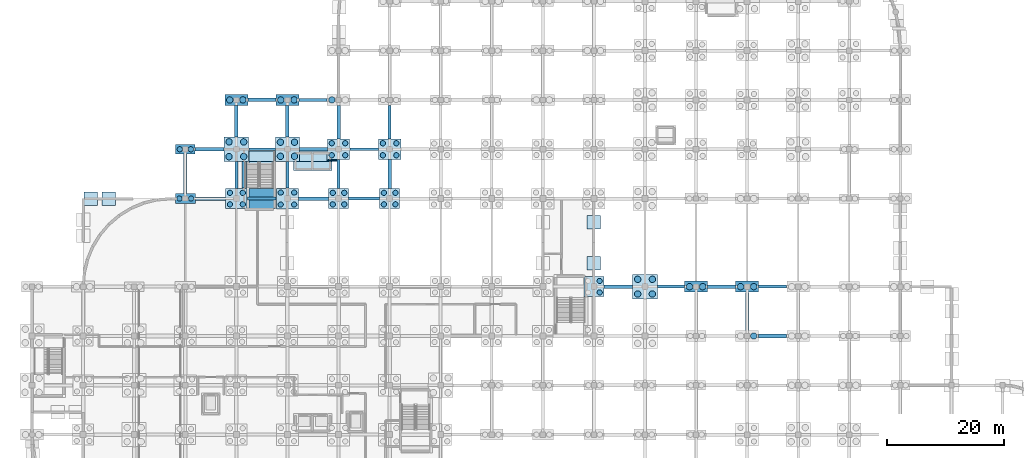
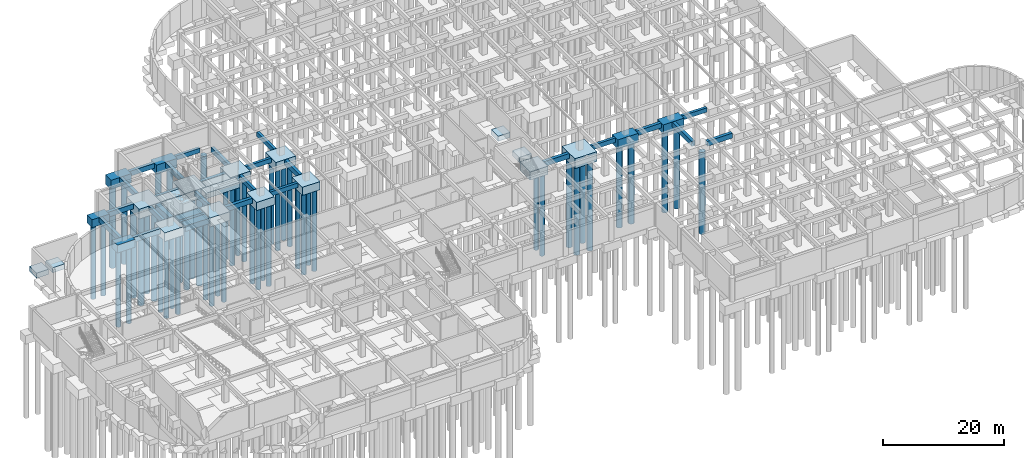
# One storey, part 7 of 33: 53 footings, 52 piles.
"""IFC4 building model written with IfcOpenShell, lengths in metres."""

from ifc_helpers import new_model, si_unit, derived_unit, direction, frame, origin, origin_2d, place, context, subcontext, project, spatial, rectangle, circle, extrude, material, material_profile, profile_set, type_object, element, save


model = new_model("IFC4")

# Units and contexts
model_context = context("Model", 3, precision=1e-05, world=origin(), true_north=direction((0.0, 1.0)))
body_context = subcontext(model_context, "Body", "Model", "MODEL_VIEW")
ifc_project = project(units=[si_unit("LENGTHUNIT", "METRE"), si_unit("AREAUNIT", "SQUARE_METRE"), si_unit("VOLUMEUNIT", "CUBIC_METRE"), si_unit("PLANEANGLEUNIT", "RADIAN"), si_unit("MASSUNIT", "GRAM", prefix="KILO"), derived_unit("THERMALTRANSMITTANCEUNIT", [(si_unit("MASSUNIT", "GRAM", prefix="KILO"), 1), (si_unit("TIMEUNIT", "SECOND"), -3), (si_unit("THERMODYNAMICTEMPERATUREUNIT", "KELVIN"), -1)])], contexts=[model_context])

# Site, building, storey
site_placement = place(None, origin())
site = spatial("IfcSite", under=ifc_project, at=site_placement, CompositionType="ELEMENT")
building_placement = place(site_placement, origin())
building = spatial("IfcBuilding", under=site, at=building_placement, Name="Qinzheling Arcade Emporium", CompositionType="ELEMENT")
storey_placement = place(building_placement, frame((0.0, 0.0, -9.60009765625)))
storey = spatial("IfcBuildingStorey", under=building, at=storey_placement, Name="B2", CompositionType="ELEMENT", Elevation=-9.60009765625)

# Footings
ifc_material = material(Name="Concrete C40", Category="concrete")
footing_type_1 = type_object("IfcFootingType", Name="Arcade Pad Footing 2400x2400x1050 C40", PredefinedType="PAD_FOOTING", material=ifc_material)
for number, where, z_axis, x_axis, name in (
    (1, (9.972900390625, 65.39990234375, -1.0498046875), (0.0, 0.0, 1.0), (1.0, 0.0, 0.0), "Retaining Wall Pad Footing FND-PF-RW-081"),
    (2, (95.699951171875, 54.39990234375, -1.0498046875), (0.0, 0.0, 1.0), (1.0, 0.0, 0.0), "Retaining Wall Pad Footing FND-PF-RW-087"),
):
    element("IfcFooting", number, at=place(storey_placement, frame(where, z_axis=z_axis, x_axis=x_axis)), inside=storey, type_object=footing_type_1, Name=name, PredefinedType="PAD_FOOTING", context=body_context, shape_type="SweptSolid", body=[
        extrude(rectangle(XDim=2.300048828125, YDim=2.300048828125, at=origin_2d()), origin(), (0.0, 0.0, 1.0), 1.050048828125),
    ])
footing_type_2 = type_object("IfcFootingType", Name="Canopy Pad Footing 2600x2600x1100 C40", PredefinedType="PAD_FOOTING", material=ifc_material)
footing_1_placement = place(storey_placement, frame((36.22509765625, 69.425048828125, -1.099853515625), z_axis=(0.0, 0.0, 1.0), x_axis=(1.0, 0.0, 0.0)))
element("IfcFooting", 3, at=footing_1_placement, inside=storey, type_object=footing_type_2, Name="Stair Core Mat Pad FND-PF-ST-ST03-1", PredefinedType="PAD_FOOTING", context=body_context, shape_type="SweptSolid", body=[
    extrude(rectangle(XDim=0.845947265625, YDim=4.506103515625, at=origin_2d()), origin(), (0.0, 0.0, 1.0), 1.10009765625),
])
for number, where, z_axis, x_axis, name in (
    (4, (39.175048828125, 64.405029296875, -1.099853515625), (0.0, 0.0, 1.0), (1.0, 0.0, 0.0), "Stair Core Mat Pad FND-PF-ST-ST03-2"),
    (5, (39.175048828125, 66.39501953125, -1.099853515625), (0.0, 0.0, 1.0), (1.0, 0.0, 0.0), "Stair Core Mat Pad FND-PF-ST-ST03-3"),
):
    element("IfcFooting", number, at=place(storey_placement, frame(where, z_axis=z_axis, x_axis=x_axis)), inside=storey, type_object=footing_type_2, Name=name, PredefinedType="PAD_FOOTING", context=body_context, shape_type="SweptSolid", body=[
        extrude(rectangle(XDim=4.506103515625, YDim=1.446044921875, at=origin_2d()), origin(), (0.0, 0.0, 1.0), 1.10009765625),
    ])
footing_2_placement = place(storey_placement, frame((39.175048828125, 69.425048828125, -1.099853515625), z_axis=(0.0, 0.0, 1.0), x_axis=(1.0, 0.0, 0.0)))
element("IfcFooting", 6, at=footing_2_placement, inside=storey, type_object=footing_type_2, Name="Stair Core Mat Pad FND-PF-ST-ST03-4", PredefinedType="PAD_FOOTING", context=body_context, shape_type="SweptSolid", body=[
    extrude(rectangle(XDim=4.506103515625, YDim=4.506103515625, at=origin_2d()), origin(), (0.0, 0.0, 1.0), 1.10009765625),
])
footing_3_placement = place(storey_placement, frame((39.175048828125, 72.6298828125, -1.099853515625), z_axis=(0.0, 0.0, 1.0), x_axis=(1.0, 0.0, 0.0)))
element("IfcFooting", 7, at=footing_3_placement, inside=storey, type_object=footing_type_2, Name="Stair Core Mat Pad FND-PF-ST-ST03-5", PredefinedType="PAD_FOOTING", context=body_context, shape_type="SweptSolid", body=[
    extrude(rectangle(XDim=4.506103515625, YDim=1.7958984375, at=origin_2d()), origin(), (0.0, 0.0, 1.0), 1.10009765625),
])
footing_4_placement = place(storey_placement, frame((47.800048828125, 70.93994140625, -1.099853515625), z_axis=(0.0, 0.0, 1.0), x_axis=(1.0, 0.0, 0.0)))
element("IfcFooting", 8, at=footing_4_placement, inside=storey, type_object=footing_type_2, Name="Lift Pit Mat Pad FND-PF-LF-LP03-1", PredefinedType="PAD_FOOTING", context=body_context, shape_type="SweptSolid", body=[
    extrude(rectangle(XDim=6.49609375, YDim=1.575927734375, at=origin_2d()), origin(), (0.0, 0.0, 1.0), 1.10009765625),
])
footing_5_placement = place(storey_placement, frame((47.925048828125, 72.590087890625, -1.099853515625), z_axis=(0.0, 0.0, 1.0), x_axis=(1.0, 0.0, 0.0)))
element("IfcFooting", 9, at=footing_5_placement, inside=storey, type_object=footing_type_2, Name="Lift Pit Mat Pad FND-PF-LF-LP03-2", PredefinedType="PAD_FOOTING", context=body_context, shape_type="SweptSolid", body=[
    extrude(rectangle(XDim=4.7060546875, YDim=1.716064453125, at=origin_2d()), origin(), (0.0, 0.0, 1.0), 1.10009765625),
])
footing_type_3 = type_object("IfcFootingType", Name="Foundation Tie Beam 500x900 C40", PredefinedType="FOOTING_BEAM", material=ifc_material)
footing_6_placement = place(storey_placement, frame((108.824951171875, 50.39990234375, -0.89990234375), z_axis=(0.0, 0.0, 1.0), x_axis=(1.0, 0.0, 0.0)))
element("IfcFooting", 10, at=footing_6_placement, inside=storey, type_object=footing_type_3, Name="Foundation Tie FND-FB-101", PredefinedType="FOOTING_BEAM", context=body_context, shape_type="SweptSolid", body=[
    extrude(rectangle(XDim=4.610107421875, YDim=0.5, at=origin_2d()), origin(), (0.0, 0.0, 1.0), 0.89990234375),
])
footing_7_placement = place(storey_placement, frame((126.14990234375, 50.39990234375, -0.89990234375), z_axis=(0.0, 0.0, 1.0), x_axis=(1.0, 0.0, 0.0)))
element("IfcFooting", 11, at=footing_7_placement, inside=storey, type_object=footing_type_3, Name="Foundation Tie FND-FB-103", PredefinedType="FOOTING_BEAM", context=body_context, shape_type="SweptSolid", body=[
    extrude(rectangle(XDim=4.760009765625, YDim=0.5, at=origin_2d()), origin(), (0.0, 0.0, 1.0), 0.89990234375),
])
footing_8_placement = place(storey_placement, frame((39.125, 65.39990234375, -0.89990234375), z_axis=(0.0, 0.0, 1.0), x_axis=(1.0, 0.0, 0.0)))
element("IfcFooting", 12, at=footing_8_placement, inside=storey, type_object=footing_type_3, Name="Foundation Tie FND-FB-107", PredefinedType="FOOTING_BEAM", context=body_context, shape_type="SweptSolid", body=[
    extrude(rectangle(XDim=4.909912109375, YDim=0.5, at=origin_2d()), origin(), (0.0, 0.0, 1.0), 0.89990234375),
])
footing_9_placement = place(storey_placement, frame((56.550048828125, 65.39990234375, -0.89990234375), z_axis=(0.0, 0.0, 1.0), x_axis=(1.0, 0.0, 0.0)))
element("IfcFooting", 13, at=footing_9_placement, inside=storey, type_object=footing_type_3, Name="Foundation Tie FND-FB-109", PredefinedType="FOOTING_BEAM", context=body_context, shape_type="SweptSolid", body=[
    extrude(rectangle(XDim=5.260009765625, YDim=0.5, at=origin_2d()), origin(), (0.0, 0.0, 1.0), 0.89990234375),
])
footing_10_placement = place(storey_placement, frame((39.175048828125, 73.800048828125, -0.89990234375), z_axis=(0.0, 0.0, 1.0), x_axis=(1.0, 0.0, 0.0)))
element("IfcFooting", 14, at=footing_10_placement, inside=storey, type_object=footing_type_3, Name="Foundation Tie FND-FB-121", PredefinedType="FOOTING_BEAM", context=body_context, shape_type="SweptSolid", body=[
    extrude(rectangle(XDim=4.510009765625, YDim=0.5, at=origin_2d()), origin(), (0.0, 0.0, 1.0), 0.89990234375),
])
footing_11_placement = place(storey_placement, frame((56.550048828125, 73.800048828125, -0.89990234375), z_axis=(0.0, 0.0, 1.0), x_axis=(1.0, 0.0, 0.0)))
element("IfcFooting", 15, at=footing_11_placement, inside=storey, type_object=footing_type_3, Name="Foundation Tie FND-FB-123", PredefinedType="FOOTING_BEAM", context=body_context, shape_type="SweptSolid", body=[
    extrude(rectangle(XDim=4.860107421875, YDim=0.5, at=origin_2d()), origin(), (0.0, 0.0, 1.0), 0.89990234375),
])
footing_12_placement = place(storey_placement, frame((47.85009765625, 82.199951171875, -0.89990234375), z_axis=(0.0, 0.0, 1.0), x_axis=(1.0, 0.0, 0.0)))
element("IfcFooting", 16, at=footing_12_placement, inside=storey, type_object=footing_type_3, Name="Foundation Tie FND-FB-135", PredefinedType="FOOTING_BEAM", context=body_context, shape_type="SweptSolid", body=[
    extrude(rectangle(XDim=4.760009765625, YDim=0.5, at=origin_2d()), origin(), (0.0, 0.0, 1.0), 0.89990234375),
])
for number, where, z_axis, x_axis, name in (
    (17, (34.800048828125, 69.39990234375, -0.89990234375), (0.0, 0.0, 1.0), (1.0, 0.0, 0.0), "Foundation Tie FND-FB-205"),
    (18, (43.5, 69.449951171875, -0.89990234375), (0.0, 0.0, 1.0), (1.0, 0.0, 0.0), "Foundation Tie FND-FB-213"),
):
    element("IfcFooting", number, at=place(storey_placement, frame(where, z_axis=z_axis, x_axis=x_axis)), inside=storey, type_object=footing_type_3, Name=name, PredefinedType="FOOTING_BEAM", context=body_context, shape_type="SweptSolid", body=[
        extrude(rectangle(XDim=0.5, YDim=4.56005859375, at=origin_2d()), origin(), (0.0, 0.0, 1.0), 0.89990234375),
    ])
footing_13_placement = place(storey_placement, frame((52.199951171875, 69.574951171875, -0.89990234375), z_axis=(0.0, 0.0, 1.0), x_axis=(1.0, 0.0, 0.0)))
element("IfcFooting", 19, at=footing_13_placement, inside=storey, type_object=footing_type_3, Name="Foundation Tie FND-FB-221", PredefinedType="FOOTING_BEAM", context=body_context, shape_type="SweptSolid", body=[
    extrude(rectangle(XDim=0.5, YDim=4.909912109375, at=origin_2d()), origin(), (0.0, 0.0, 1.0), 0.89990234375),
])
footing_14_placement = place(storey_placement, frame((60.89990234375, 78.425048828125, -0.89990234375), z_axis=(0.0, 0.0, 1.0), x_axis=(1.0, 0.0, 0.0)))
element("IfcFooting", 20, at=footing_14_placement, inside=storey, type_object=footing_type_3, Name="Foundation Tie FND-FB-231", PredefinedType="FOOTING_BEAM", context=body_context, shape_type="SweptSolid", body=[
    extrude(rectangle(XDim=0.5, YDim=5.7099609375, at=origin_2d()), origin(), (0.0, 0.0, 1.0), 0.89990234375),
])
footing_type_4 = type_object("IfcFootingType", Name="Foundation Tie Beam 600x1000 C40", PredefinedType="FOOTING_BEAM", material=ifc_material)
footing_15_placement = place(storey_placement, frame((126.14990234375, 42.0, -1.0), z_axis=(0.0, 0.0, 1.0), x_axis=(1.0, 0.0, 0.0)))
element("IfcFooting", 21, at=footing_15_placement, inside=storey, type_object=footing_type_4, Name="Foundation Tie FND-FB-086", PredefinedType="FOOTING_BEAM", context=body_context, shape_type="SweptSolid", body=[
    extrude(rectangle(XDim=4.760009765625, YDim=0.60009765625, at=origin_2d()), origin(), (0.0, 0.0, 1.0), 1.0),
])
footing_16_placement = place(storey_placement, frame((99.85009765625, 50.39990234375, -1.0), z_axis=(0.0, 0.0, 1.0), x_axis=(1.0, 0.0, 0.0)))
element("IfcFooting", 22, at=footing_16_placement, inside=storey, type_object=footing_type_4, Name="Foundation Tie FND-FB-100", PredefinedType="FOOTING_BEAM", context=body_context, shape_type="SweptSolid", body=[
    extrude(rectangle(XDim=4.860107421875, YDim=0.60009765625, at=origin_2d()), origin(), (0.0, 0.0, 1.0), 1.0),
])
footing_17_placement = place(storey_placement, frame((117.449951171875, 50.39990234375, -1.0), z_axis=(0.0, 0.0, 1.0), x_axis=(1.0, 0.0, 0.0)))
element("IfcFooting", 23, at=footing_17_placement, inside=storey, type_object=footing_type_4, Name="Foundation Tie FND-FB-102", PredefinedType="FOOTING_BEAM", context=body_context, shape_type="SweptSolid", body=[
    extrude(rectangle(XDim=4.760009765625, YDim=0.60009765625, at=origin_2d()), origin(), (0.0, 0.0, 1.0), 1.0),
])
footing_18_placement = place(storey_placement, frame((30.375, 65.39990234375, -1.0), z_axis=(0.0, 0.0, 1.0), x_axis=(1.0, 0.0, 0.0)))
element("IfcFooting", 24, at=footing_18_placement, inside=storey, type_object=footing_type_4, Name="Foundation Tie FND-FB-106", PredefinedType="FOOTING_BEAM", context=body_context, shape_type="SweptSolid", body=[
    extrude(rectangle(XDim=5.110107421875, YDim=0.60009765625, at=origin_2d()), origin(), (0.0, 0.0, 1.0), 1.0),
])
footing_19_placement = place(storey_placement, frame((47.949951171875, 65.39990234375, -1.0), z_axis=(0.0, 0.0, 1.0), x_axis=(1.0, 0.0, 0.0)))
element("IfcFooting", 25, at=footing_19_placement, inside=storey, type_object=footing_type_4, Name="Foundation Tie FND-FB-108", PredefinedType="FOOTING_BEAM", context=body_context, shape_type="SweptSolid", body=[
    extrude(rectangle(XDim=5.06005859375, YDim=0.60009765625, at=origin_2d()), origin(), (0.0, 0.0, 1.0), 1.0),
])
footing_20_placement = place(storey_placement, frame((30.22509765625, 73.800048828125, -1.0), z_axis=(0.0, 0.0, 1.0), x_axis=(1.0, 0.0, 0.0)))
element("IfcFooting", 26, at=footing_20_placement, inside=storey, type_object=footing_type_4, Name="Foundation Tie FND-FB-120", PredefinedType="FOOTING_BEAM", context=body_context, shape_type="SweptSolid", body=[
    extrude(rectangle(XDim=4.909912109375, YDim=0.60009765625, at=origin_2d()), origin(), (0.0, 0.0, 1.0), 1.0),
])
footing_21_placement = place(storey_placement, frame((47.925048828125, 73.800048828125, -1.0), z_axis=(0.0, 0.0, 1.0), x_axis=(1.0, 0.0, 0.0)))
element("IfcFooting", 27, at=footing_21_placement, inside=storey, type_object=footing_type_4, Name="Foundation Tie FND-FB-122", PredefinedType="FOOTING_BEAM", context=body_context, shape_type="SweptSolid", body=[
    extrude(rectangle(XDim=4.7099609375, YDim=0.60009765625, at=origin_2d()), origin(), (0.0, 0.0, 1.0), 1.0),
])
footing_22_placement = place(storey_placement, frame((39.14990234375, 82.199951171875, -1.0), z_axis=(0.0, 0.0, 1.0), x_axis=(1.0, 0.0, 0.0)))
element("IfcFooting", 28, at=footing_22_placement, inside=storey, type_object=footing_type_4, Name="Foundation Tie FND-FB-134", PredefinedType="FOOTING_BEAM", context=body_context, shape_type="SweptSolid", body=[
    extrude(rectangle(XDim=4.760009765625, YDim=0.60009765625, at=origin_2d()), origin(), (0.0, 0.0, 1.0), 1.0),
])
footing_23_placement = place(storey_placement, frame((26.10009765625, 69.612060546875, -1.0), z_axis=(0.0, 0.0, 1.0), x_axis=(1.0, 0.0, 0.0)))
element("IfcFooting", 29, at=footing_23_placement, inside=storey, type_object=footing_type_4, Name="Foundation Tie FND-FB-198", PredefinedType="FOOTING_BEAM", context=body_context, shape_type="SweptSolid", body=[
    extrude(rectangle(XDim=0.60009765625, YDim=6.68505859375, at=origin_2d()), origin(), (0.0, 0.0, 1.0), 1.0),
])
footing_24_placement = place(storey_placement, frame((34.800048828125, 78.574951171875, -1.0), z_axis=(0.0, 0.0, 1.0), x_axis=(1.0, 0.0, 0.0)))
element("IfcFooting", 30, at=footing_24_placement, inside=storey, type_object=footing_type_4, Name="Foundation Tie FND-FB-206", PredefinedType="FOOTING_BEAM", context=body_context, shape_type="SweptSolid", body=[
    extrude(rectangle(XDim=0.60009765625, YDim=5.31005859375, at=origin_2d()), origin(), (0.0, 0.0, 1.0), 1.0),
])
footing_25_placement = place(storey_placement, frame((43.5, 78.550048828125, -1.0), z_axis=(0.0, 0.0, 1.0), x_axis=(1.0, 0.0, 0.0)))
element("IfcFooting", 31, at=footing_25_placement, inside=storey, type_object=footing_type_4, Name="Foundation Tie FND-FB-214", PredefinedType="FOOTING_BEAM", context=body_context, shape_type="SweptSolid", body=[
    extrude(rectangle(XDim=0.60009765625, YDim=5.360107421875, at=origin_2d()), origin(), (0.0, 0.0, 1.0), 1.0),
])
footing_26_placement = place(storey_placement, frame((52.199951171875, 78.39990234375, -1.0), z_axis=(0.0, 0.0, 1.0), x_axis=(1.0, 0.0, 0.0)))
element("IfcFooting", 32, at=footing_26_placement, inside=storey, type_object=footing_type_4, Name="Foundation Tie FND-FB-222", PredefinedType="FOOTING_BEAM", context=body_context, shape_type="SweptSolid", body=[
    extrude(rectangle(XDim=0.60009765625, YDim=5.659912109375, at=origin_2d()), origin(), (0.0, 0.0, 1.0), 1.0),
])
footing_27_placement = place(storey_placement, frame((60.89990234375, 69.574951171875, -1.0), z_axis=(0.0, 0.0, 1.0), x_axis=(1.0, 0.0, 0.0)))
element("IfcFooting", 33, at=footing_27_placement, inside=storey, type_object=footing_type_4, Name="Foundation Tie FND-FB-230", PredefinedType="FOOTING_BEAM", context=body_context, shape_type="SweptSolid", body=[
    extrude(rectangle(XDim=0.60009765625, YDim=4.909912109375, at=origin_2d()), origin(), (0.0, 0.0, 1.0), 1.0),
])
footing_28_placement = place(storey_placement, frame((121.800048828125, 46.199951171875, -1.0), z_axis=(0.0, 0.0, 1.0), x_axis=(1.0, 0.0, 0.0)))
element("IfcFooting", 34, at=footing_28_placement, inside=storey, type_object=footing_type_4, Name="Foundation Tie FND-FB-302", PredefinedType="FOOTING_BEAM", context=body_context, shape_type="SweptSolid", body=[
    extrude(rectangle(XDim=0.60009765625, YDim=6.4599609375, at=origin_2d()), origin(), (0.0, 0.0, 1.0), 1.0),
])
footing_type_5 = type_object("IfcFootingType", Name="Four-Pile Arcade Cap 3700x3400x1750 C40", PredefinedType="PILE_CAP", material=ifc_material)
footing_29_placement = place(storey_placement, frame((34.800048828125, 65.39990234375, -1.75), z_axis=(0.0, 0.0, 1.0), x_axis=(1.0, 0.0, 0.0)))
element("IfcFooting", 35, at=footing_29_placement, inside=storey, type_object=footing_type_5, Name="Pile Cap FND-PC-033", PredefinedType="PILE_CAP", context=body_context, shape_type="SweptSolid", body=[
    extrude(rectangle(XDim=3.699951171875, YDim=3.39990234375, at=origin_2d()), origin(), (0.0, 0.0, 1.0), 1.75),
])
footing_type_6 = type_object("IfcFootingType", Name="Four-Pile Core Cap 4100x4100x1950 C40", PredefinedType="PILE_CAP", material=ifc_material)
footing_30_placement = place(storey_placement, frame((43.5, 73.800048828125, -1.94970703125), z_axis=(0.0, 0.0, 1.0), x_axis=(1.0, 0.0, 0.0)))
element("IfcFooting", 36, at=footing_30_placement, inside=storey, type_object=footing_type_6, Name="Pile Cap FND-PC-044", PredefinedType="PILE_CAP", context=body_context, shape_type="SweptSolid", body=[
    extrude(rectangle(XDim=4.10009765625, YDim=4.10009765625, at=origin_2d()), origin(), (0.0, 0.0, 1.0), 1.949951171875),
])
footing_type_7 = type_object("IfcFootingType", Name="Four-Pile Heavy Cap 4200x4200x2000 C40", PredefinedType="PILE_CAP", material=ifc_material)
for number, where, z_axis, x_axis, name in (
    (37, (34.800048828125, 73.800048828125, -2.0), (0.0, 0.0, 1.0), (1.0, 0.0, 0.0), "Pile Cap FND-PC-034"),
    (38, (104.39990234375, 50.39990234375, -2.0), (0.0, 0.0, 1.0), (1.0, 0.0, 0.0), "Pile Cap FND-PC-122"),
):
    element("IfcFooting", number, at=place(storey_placement, frame(where, z_axis=z_axis, x_axis=x_axis)), inside=storey, type_object=footing_type_7, Name=name, PredefinedType="PILE_CAP", context=body_context, shape_type="SweptSolid", body=[
        extrude(rectangle(XDim=4.199951171875, YDim=4.199951171875, at=origin_2d()), origin(), (0.0, 0.0, 1.0), 2.0),
    ])
footing_type_8 = type_object("IfcFootingType", Name="Four-Pile Office Cap 3800x3500x1800 C40", PredefinedType="PILE_CAP", material=ifc_material)
for number, where, z_axis, x_axis, name in (
    (39, (43.5, 65.39990234375, -1.7998046875), (0.0, 0.0, 1.0), (1.0, 0.0, 0.0), "Pile Cap FND-PC-043"),
    (40, (52.199951171875, 73.800048828125, -1.7998046875), (0.0, 0.0, 1.0), (1.0, 0.0, 0.0), "Pile Cap FND-PC-054"),
    (41, (60.89990234375, 73.800048828125, -1.7998046875), (0.0, 0.0, 1.0), (1.0, 0.0, 0.0), "Pile Cap FND-PC-065"),
):
    element("IfcFooting", number, at=place(storey_placement, frame(where, z_axis=z_axis, x_axis=x_axis)), inside=storey, type_object=footing_type_8, Name=name, PredefinedType="PILE_CAP", context=body_context, shape_type="SweptSolid", body=[
        extrude(rectangle(XDim=3.800048828125, YDim=3.5, at=origin_2d()), origin(), (0.0, 0.0, 1.0), 1.800048828125),
    ])
footing_type_9 = type_object("IfcFootingType", Name="Four-Pile Wing Cap 3400x3400x1650 C40", PredefinedType="PILE_CAP", material=ifc_material)
for number, where, z_axis, x_axis, name in (
    (42, (52.199951171875, 65.39990234375, -1.64990234375), (0.0, 0.0, 1.0), (1.0, 0.0, 0.0), "Pile Cap FND-PC-053"),
    (43, (60.89990234375, 65.39990234375, -1.64990234375), (0.0, 0.0, 1.0), (1.0, 0.0, 0.0), "Pile Cap FND-PC-064"),
    (44, (95.699951171875, 50.39990234375, -1.64990234375), (0.0, 0.0, 1.0), (1.0, 0.0, 0.0), "Pile Cap FND-PC-108"),
):
    element("IfcFooting", number, at=place(storey_placement, frame(where, z_axis=z_axis, x_axis=x_axis)), inside=storey, type_object=footing_type_9, Name=name, PredefinedType="PILE_CAP", context=body_context, shape_type="SweptSolid", body=[
        extrude(rectangle(XDim=3.39990234375, YDim=3.39990234375, at=origin_2d()), origin(), (0.0, 0.0, 1.0), 1.64990234375),
    ])
footing_type_10 = type_object("IfcFootingType", Name="Loggia Pad Footing 2200x2200x1000 C40", PredefinedType="PAD_FOOTING", material=ifc_material)
for number, where, z_axis, x_axis, name in (
    (45, (13.05908203125, 65.39990234375, -1.0), (0.0, 0.0, 1.0), (1.0, 0.0, 0.0), "Retaining Wall Pad Footing FND-PF-RW-080"),
    (46, (95.699951171875, 61.39990234375, -1.0), (0.0, 0.0, 1.0), (1.0, 0.0, 0.0), "Retaining Wall Pad Footing FND-PF-RW-086"),
):
    element("IfcFooting", number, at=place(storey_placement, frame(where, z_axis=z_axis, x_axis=x_axis)), inside=storey, type_object=footing_type_10, Name=name, PredefinedType="PAD_FOOTING", context=body_context, shape_type="SweptSolid", body=[
        extrude(rectangle(XDim=2.300048828125, YDim=2.300048828125, at=origin_2d()), origin(), (0.0, 0.0, 1.0), 1.0),
    ])
footing_31_placement = place(storey_placement, frame((51.0791015625, 71.888916015625, -1.0), z_axis=(0.0, 0.0, 1.0), x_axis=(1.0, 0.0, 0.0)))
element("IfcFooting", 47, at=footing_31_placement, inside=storey, type_object=footing_type_10, Name="Retaining Wall Pad Footing FND-PF-RW-100", PredefinedType="PAD_FOOTING", context=body_context, shape_type="SweptSolid", body=[
    extrude(rectangle(XDim=1.591064453125, YDim=0.31005859375, at=origin_2d()), origin(), (0.0, 0.0, 1.0), 1.0),
])

# Piles
ifc_material_profile_1 = material_profile(ifc_material, circle(Radius=0.550048828125, at=origin_2d()), Name="BORED D1100", Category="concrete")
ifc_profile_set_1 = profile_set([ifc_material_profile_1], Name="Concrete C40")
pile_type_1 = type_object("IfcPileType", Name="Rotary Bored Pile D1100 C40", PredefinedType="BORED", material=ifc_profile_set_1)
for number, where, z_axis, x_axis, name in (
    (48, (33.550048828125, 72.550048828125, -1.89990234375), (0.0, 0.0, -1.0), (1.0, 0.0, 0.0), "Bored Pile FND-PL-0109"),
    (49, (36.050048828125, 72.550048828125, -1.89990234375), (0.0, 0.0, -1.0), (1.0, 0.0, 0.0), "Bored Pile FND-PL-0110"),
    (50, (33.550048828125, 75.050048828125, -1.89990234375), (0.0, 0.0, -1.0), (1.0, 0.0, 0.0), "Bored Pile FND-PL-0111"),
    (51, (36.050048828125, 75.050048828125, -1.89990234375), (0.0, 0.0, -1.0), (1.0, 0.0, 0.0), "Bored Pile FND-PL-0112"),
):
    element("IfcPile", number, at=place(storey_placement, frame(where, z_axis=z_axis, x_axis=x_axis)), inside=storey, type_object=pile_type_1, Name=name, PredefinedType="BORED", context=body_context, shape_type="SweptSolid", body=[
        extrude(circle(Radius=0.550048828125, at=origin_2d()), origin(), (0.0, 0.0, 1.0), 18.0),
    ])
for number, where, z_axis, x_axis, name in (
    (52, (33.679931640625, 82.199951171875, -1.75), (0.0, 0.0, -1.0), (1.0, 0.0, 0.0), "Bored Pile FND-PL-0113"),
    (53, (35.919921875, 82.199951171875, -1.75), (0.0, 0.0, -1.0), (1.0, 0.0, 0.0), "Bored Pile FND-PL-0114"),
):
    element("IfcPile", number, at=place(storey_placement, frame(where, z_axis=z_axis, x_axis=x_axis)), inside=storey, type_object=pile_type_1, Name=name, PredefinedType="BORED", context=body_context, shape_type="SweptSolid", body=[
        extrude(circle(Radius=0.550048828125, at=origin_2d()), origin(), (0.0, 0.0, 1.0), 16.5),
    ])
for number, where, z_axis, x_axis, name in (
    (54, (42.300048828125, 72.60009765625, -1.849853515625), (0.0, 0.0, -1.0), (1.0, 0.0, 0.0), "Bored Pile FND-PL-0145"),
    (55, (44.699951171875, 72.60009765625, -1.849853515625), (0.0, 0.0, -1.0), (1.0, 0.0, 0.0), "Bored Pile FND-PL-0146"),
    (56, (42.300048828125, 75.0, -1.849853515625), (0.0, 0.0, -1.0), (1.0, 0.0, 0.0), "Bored Pile FND-PL-0147"),
    (57, (44.699951171875, 75.0, -1.849853515625), (0.0, 0.0, -1.0), (1.0, 0.0, 0.0), "Bored Pile FND-PL-0148"),
):
    element("IfcPile", number, at=place(storey_placement, frame(where, z_axis=z_axis, x_axis=x_axis)), inside=storey, type_object=pile_type_1, Name=name, PredefinedType="BORED", context=body_context, shape_type="SweptSolid", body=[
        extrude(circle(Radius=0.550048828125, at=origin_2d()), origin(), (0.0, 0.0, 1.0), 18.0),
    ])
for number, where, z_axis, x_axis, name in (
    (58, (42.3798828125, 82.199951171875, -1.75), (0.0, 0.0, -1.0), (1.0, 0.0, 0.0), "Bored Pile FND-PL-0149"),
    (59, (44.6201171875, 82.199951171875, -1.75), (0.0, 0.0, -1.0), (1.0, 0.0, 0.0), "Bored Pile FND-PL-0150"),
    (60, (51.080078125, 82.199951171875, -1.75), (0.0, 0.0, -1.0), (1.0, 0.0, 0.0), "Bored Pile FND-PL-0185"),
):
    element("IfcPile", number, at=place(storey_placement, frame(where, z_axis=z_axis, x_axis=x_axis)), inside=storey, type_object=pile_type_1, Name=name, PredefinedType="BORED", context=body_context, shape_type="SweptSolid", body=[
        extrude(circle(Radius=0.550048828125, at=origin_2d()), origin(), (0.0, 0.0, 1.0), 16.5),
    ])
for number, where, z_axis, x_axis, name in (
    (61, (103.14990234375, 49.14990234375, -1.89990234375), (0.0, 0.0, -1.0), (1.0, 0.0, 0.0), "Bored Pile FND-PL-0375"),
    (62, (105.64990234375, 49.14990234375, -1.89990234375), (0.0, 0.0, -1.0), (1.0, 0.0, 0.0), "Bored Pile FND-PL-0376"),
    (63, (103.14990234375, 51.64990234375, -1.89990234375), (0.0, 0.0, -1.0), (1.0, 0.0, 0.0), "Bored Pile FND-PL-0377"),
    (64, (105.64990234375, 51.64990234375, -1.89990234375), (0.0, 0.0, -1.0), (1.0, 0.0, 0.0), "Bored Pile FND-PL-0378"),
):
    element("IfcPile", number, at=place(storey_placement, frame(where, z_axis=z_axis, x_axis=x_axis)), inside=storey, type_object=pile_type_1, Name=name, PredefinedType="BORED", context=body_context, shape_type="SweptSolid", body=[
        extrude(circle(Radius=0.550048828125, at=origin_2d()), origin(), (0.0, 0.0, 1.0), 18.0),
    ])
for number, where, z_axis, x_axis, name in (
    (65, (111.97998046875, 50.39990234375, -1.75), (0.0, 0.0, -1.0), (1.0, 0.0, 0.0), "Bored Pile FND-PL-0417"),
    (66, (114.219970703125, 50.39990234375, -1.75), (0.0, 0.0, -1.0), (1.0, 0.0, 0.0), "Bored Pile FND-PL-0418"),
    (67, (122.919921875, 42.0, -1.75), (0.0, 0.0, -1.0), (1.0, 0.0, 0.0), "Bored Pile FND-PL-0460"),
    (68, (120.679931640625, 50.39990234375, -1.75), (0.0, 0.0, -1.0), (1.0, 0.0, 0.0), "Bored Pile FND-PL-0461"),
    (69, (122.919921875, 50.39990234375, -1.75), (0.0, 0.0, -1.0), (1.0, 0.0, 0.0), "Bored Pile FND-PL-0462"),
):
    element("IfcPile", number, at=place(storey_placement, frame(where, z_axis=z_axis, x_axis=x_axis)), inside=storey, type_object=pile_type_1, Name=name, PredefinedType="BORED", context=body_context, shape_type="SweptSolid", body=[
        extrude(circle(Radius=0.550048828125, at=origin_2d()), origin(), (0.0, 0.0, 1.0), 16.5),
    ])
ifc_material_profile_2 = material_profile(ifc_material, circle(Radius=0.449951171875, at=origin_2d()), Name="BORED D900", Category="concrete")
ifc_profile_set_2 = profile_set([ifc_material_profile_2], Name="Concrete C40")
pile_type_2 = type_object("IfcPileType", Name="Rotary Bored Pile D900 C40", PredefinedType="BORED", material=ifc_profile_set_2)
for number, where, z_axis, x_axis, name in (
    (70, (25.10009765625, 65.39990234375, -1.5), (0.0, 0.0, -1.0), (1.0, 0.0, 0.0), "Bored Pile FND-PL-0075"),
    (71, (27.10009765625, 65.39990234375, -1.5), (0.0, 0.0, -1.0), (1.0, 0.0, 0.0), "Bored Pile FND-PL-0076"),
):
    element("IfcPile", number, at=place(storey_placement, frame(where, z_axis=z_axis, x_axis=x_axis)), inside=storey, type_object=pile_type_2, Name=name, PredefinedType="BORED", context=body_context, shape_type="SweptSolid", body=[
        extrude(circle(Radius=0.449951171875, at=origin_2d()), origin(), (0.0, 0.0, 1.0), 15.5),
    ])
for number, where, z_axis, x_axis, name in (
    (72, (25.14990234375, 73.800048828125, -1.5), (0.0, 0.0, -1.0), (1.0, 0.0, 0.0), "Bored Pile FND-PL-0077"),
    (73, (27.050048828125, 73.800048828125, -1.5), (0.0, 0.0, -1.0), (1.0, 0.0, 0.0), "Bored Pile FND-PL-0078"),
):
    element("IfcPile", number, at=place(storey_placement, frame(where, z_axis=z_axis, x_axis=x_axis)), inside=storey, type_object=pile_type_2, Name=name, PredefinedType="BORED", context=body_context, shape_type="SweptSolid", body=[
        extrude(circle(Radius=0.449951171875, at=origin_2d()), origin(), (0.0, 0.0, 1.0), 15.0),
    ])
for number, where, z_axis, x_axis, name in (
    (74, (33.699951171875, 64.419921875, -1.64990234375), (0.0, 0.0, -1.0), (1.0, 0.0, 0.0), "Bored Pile FND-PL-0105"),
    (75, (35.89990234375, 64.419921875, -1.64990234375), (0.0, 0.0, -1.0), (1.0, 0.0, 0.0), "Bored Pile FND-PL-0106"),
    (76, (33.699951171875, 66.3798828125, -1.64990234375), (0.0, 0.0, -1.0), (1.0, 0.0, 0.0), "Bored Pile FND-PL-0107"),
    (77, (35.89990234375, 66.3798828125, -1.64990234375), (0.0, 0.0, -1.0), (1.0, 0.0, 0.0), "Bored Pile FND-PL-0108"),
):
    element("IfcPile", number, at=place(storey_placement, frame(where, z_axis=z_axis, x_axis=x_axis)), inside=storey, type_object=pile_type_2, Name=name, PredefinedType="BORED", context=body_context, shape_type="SweptSolid", body=[
        extrude(circle(Radius=0.449951171875, at=origin_2d()), origin(), (0.0, 0.0, 1.0), 16.0),
    ])
for number, where, z_axis, x_axis, name in (
    (78, (42.35009765625, 64.3798828125, -1.699951171875), (0.0, 0.0, -1.0), (1.0, 0.0, 0.0), "Bored Pile FND-PL-0141"),
    (79, (44.64990234375, 64.3798828125, -1.699951171875), (0.0, 0.0, -1.0), (1.0, 0.0, 0.0), "Bored Pile FND-PL-0142"),
    (80, (42.35009765625, 66.419921875, -1.699951171875), (0.0, 0.0, -1.0), (1.0, 0.0, 0.0), "Bored Pile FND-PL-0143"),
    (81, (44.64990234375, 66.419921875, -1.699951171875), (0.0, 0.0, -1.0), (1.0, 0.0, 0.0), "Bored Pile FND-PL-0144"),
    (82, (51.219970703125, 64.419921875, -1.5498046875), (0.0, 0.0, -1.0), (1.0, 0.0, 0.0), "Bored Pile FND-PL-0177"),
    (83, (53.179931640625, 64.419921875, -1.5498046875), (0.0, 0.0, -1.0), (1.0, 0.0, 0.0), "Bored Pile FND-PL-0178"),
    (84, (51.219970703125, 66.3798828125, -1.5498046875), (0.0, 0.0, -1.0), (1.0, 0.0, 0.0), "Bored Pile FND-PL-0179"),
    (85, (53.179931640625, 66.3798828125, -1.5498046875), (0.0, 0.0, -1.0), (1.0, 0.0, 0.0), "Bored Pile FND-PL-0180"),
    (86, (51.050048828125, 72.780029296875, -1.699951171875), (0.0, 0.0, -1.0), (1.0, 0.0, 0.0), "Bored Pile FND-PL-0181"),
    (87, (53.35009765625, 72.780029296875, -1.699951171875), (0.0, 0.0, -1.0), (1.0, 0.0, 0.0), "Bored Pile FND-PL-0182"),
    (88, (51.050048828125, 74.820068359375, -1.699951171875), (0.0, 0.0, -1.0), (1.0, 0.0, 0.0), "Bored Pile FND-PL-0183"),
    (89, (53.35009765625, 74.820068359375, -1.699951171875), (0.0, 0.0, -1.0), (1.0, 0.0, 0.0), "Bored Pile FND-PL-0184"),
    (90, (59.919921875, 64.419921875, -1.5498046875), (0.0, 0.0, -1.0), (1.0, 0.0, 0.0), "Bored Pile FND-PL-0215"),
    (91, (61.8798828125, 64.419921875, -1.5498046875), (0.0, 0.0, -1.0), (1.0, 0.0, 0.0), "Bored Pile FND-PL-0216"),
    (92, (59.919921875, 66.3798828125, -1.5498046875), (0.0, 0.0, -1.0), (1.0, 0.0, 0.0), "Bored Pile FND-PL-0217"),
    (93, (61.8798828125, 66.3798828125, -1.5498046875), (0.0, 0.0, -1.0), (1.0, 0.0, 0.0), "Bored Pile FND-PL-0218"),
    (94, (59.75, 72.780029296875, -1.699951171875), (0.0, 0.0, -1.0), (1.0, 0.0, 0.0), "Bored Pile FND-PL-0219"),
    (95, (62.050048828125, 72.780029296875, -1.699951171875), (0.0, 0.0, -1.0), (1.0, 0.0, 0.0), "Bored Pile FND-PL-0220"),
    (96, (59.75, 74.820068359375, -1.699951171875), (0.0, 0.0, -1.0), (1.0, 0.0, 0.0), "Bored Pile FND-PL-0221"),
    (97, (62.050048828125, 74.820068359375, -1.699951171875), (0.0, 0.0, -1.0), (1.0, 0.0, 0.0), "Bored Pile FND-PL-0222"),
    (98, (96.679931640625, 49.419921875, -1.5498046875), (0.0, 0.0, -1.0), (1.0, 0.0, 0.0), "Bored Pile FND-PL-0340"),
    (99, (96.679931640625, 51.3798828125, -1.5498046875), (0.0, 0.0, -1.0), (1.0, 0.0, 0.0), "Bored Pile FND-PL-0342"),
):
    element("IfcPile", number, at=place(storey_placement, frame(where, z_axis=z_axis, x_axis=x_axis)), inside=storey, type_object=pile_type_2, Name=name, PredefinedType="BORED", context=body_context, shape_type="SweptSolid", body=[
        extrude(circle(Radius=0.449951171875, at=origin_2d()), origin(), (0.0, 0.0, 1.0), 16.5),
    ])

# Footings
footing_type_11 = type_object("IfcFootingType", Name="Two-Pile Court Cap 3300x1650x1600 C40", PredefinedType="PILE_CAP", material=ifc_material)
footing_32_placement = place(storey_placement, frame((26.10009765625, 73.800048828125, -1.599853515625), z_axis=(0.0, 0.0, 1.0), x_axis=(1.0, 0.0, 0.0)))
element("IfcFooting", 100, at=footing_32_placement, inside=storey, type_object=footing_type_11, Name="Pile Cap FND-PC-025", PredefinedType="PILE_CAP", context=body_context, shape_type="SweptSolid", body=[
    extrude(rectangle(XDim=3.300048828125, YDim=1.64990234375, at=origin_2d()), origin(), (0.0, 0.0, 1.0), 1.60009765625),
])
footing_type_12 = type_object("IfcFootingType", Name="Two-Pile Edge Cap 3400x1700x1600 C40", PredefinedType="PILE_CAP", material=ifc_material)
footing_33_placement = place(storey_placement, frame((26.10009765625, 65.39990234375, -1.599853515625), z_axis=(0.0, 0.0, 1.0), x_axis=(1.0, 0.0, 0.0)))
element("IfcFooting", 101, at=footing_33_placement, inside=storey, type_object=footing_type_12, Name="Pile Cap FND-PC-024", PredefinedType="PILE_CAP", context=body_context, shape_type="SweptSolid", body=[
    extrude(rectangle(XDim=3.39990234375, YDim=1.699951171875, at=origin_2d()), origin(), (0.0, 0.0, 1.0), 1.60009765625),
])
footing_type_13 = type_object("IfcFootingType", Name="Two-Pile Heavy Cap 3900x1900x1850 C40", PredefinedType="PILE_CAP", material=ifc_material)
for number, where, z_axis, x_axis, name in (
    (102, (34.800048828125, 82.199951171875, -1.849853515625), (0.0, 0.0, 1.0), (1.0, 0.0, 0.0), "Pile Cap FND-PC-035"),
    (103, (43.5, 82.199951171875, -1.849853515625), (0.0, 0.0, 1.0), (1.0, 0.0, 0.0), "Pile Cap FND-PC-045"),
    (104, (113.10009765625, 50.39990234375, -1.849853515625), (0.0, 0.0, 1.0), (1.0, 0.0, 0.0), "Pile Cap FND-PC-136"),
    (105, (121.800048828125, 50.39990234375, -1.849853515625), (0.0, 0.0, 1.0), (1.0, 0.0, 0.0), "Pile Cap FND-PC-150"),
):
    element("IfcFooting", number, at=place(storey_placement, frame(where, z_axis=z_axis, x_axis=x_axis)), inside=storey, type_object=footing_type_13, Name=name, PredefinedType="PILE_CAP", context=body_context, shape_type="SweptSolid", body=[
        extrude(rectangle(XDim=3.89990234375, YDim=1.89990234375, at=origin_2d()), origin(), (0.0, 0.0, 1.0), 1.85009765625),
    ])

save(model, "model.ifc")
